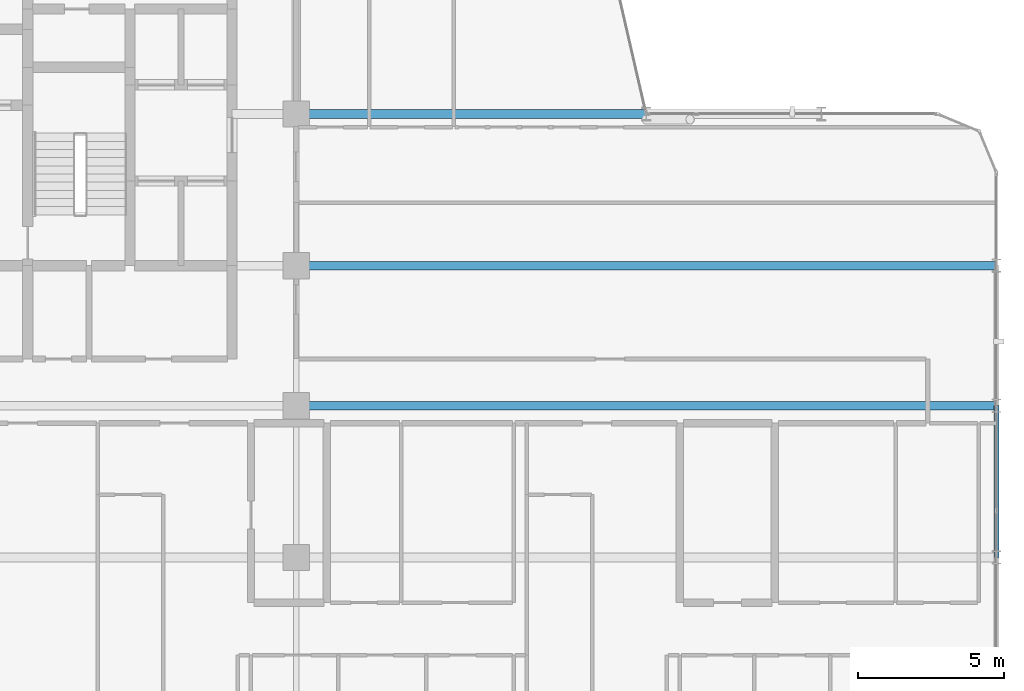
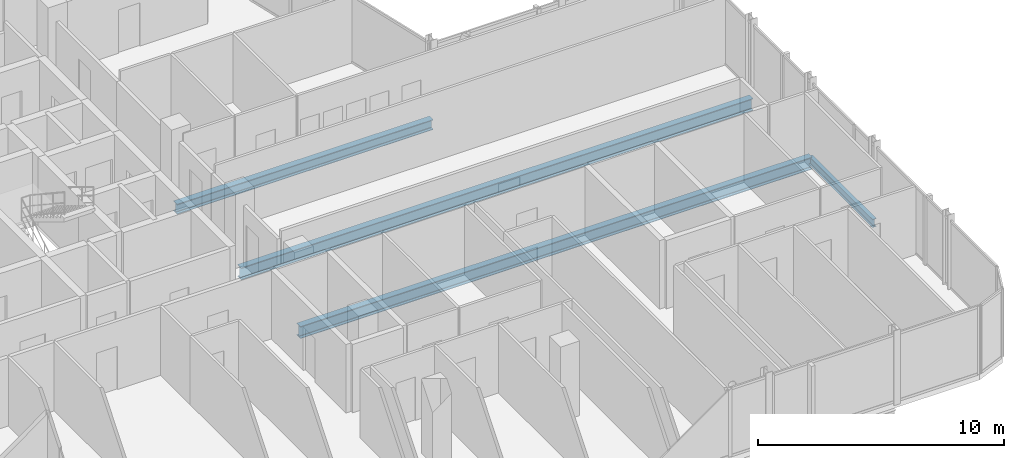
# One storey, part 13 of 29: 4 beams.
"""IFC4 building model written with IfcOpenShell, lengths in metres."""

from ifc_helpers import new_model, si_unit, direction, frame, origin, origin_2d, place, context, subcontext, project, spatial, i_section, extrude, material, material_profile, profile_set, type_object, element, save


model = new_model("IFC4")

# Units and contexts
model_context = context("Model", 3, precision=1e-05, world=origin(), true_north=direction((0.0, 1.0)))
body_context = subcontext(model_context, "Body", "Model", "MODEL_VIEW")
ifc_project = project(units=[si_unit("LENGTHUNIT", "METRE"), si_unit("AREAUNIT", "SQUARE_METRE"), si_unit("VOLUMEUNIT", "CUBIC_METRE"), si_unit("PLANEANGLEUNIT", "RADIAN"), si_unit("MASSUNIT", "GRAM", prefix="KILO")], contexts=[model_context])

# Site, building, storey
site_placement = place(None, origin())
site = spatial("IfcSite", under=ifc_project, at=site_placement, CompositionType="ELEMENT")
building_placement = place(site_placement, origin())
building = spatial("IfcBuilding", under=site, at=building_placement, Name="Keshet Zoharim Tower", CompositionType="ELEMENT")
storey_placement = place(building_placement, frame((0.0, 0.0, 188.39990234375)))
storey = spatial("IfcBuildingStorey", under=building, at=storey_placement, Name="L46", CompositionType="ELEMENT", Elevation=188.39990234375)

# Beams
ifc_material = material(Name="Steel S355", Category="steel")
ifc_material_profile_1 = material_profile(ifc_material, i_section(OverallWidth=0.300048828125, OverallDepth=0.60009765625, WebThickness=0.015380859375, FlangeThickness=0.030029296875, FilletRadius=0.027099609375, at=origin_2d()), Name="HEB600")
ifc_profile_set_1 = profile_set([ifc_material_profile_1], Name="Steel S355")
beam_type_1 = type_object("IfcBeamType", Name="BM-LNG-HB600", PredefinedType="BEAM", material=ifc_profile_set_1)
for number, where, z_axis, x_axis, name in (
    (1, (33.0, 17.89990234375, -0.60986328125), (1.0, 0.0, 0.0), (0.0, 1.0, 0.0), "L46 Primary Girder X-013"),
    (2, (33.0, 22.699951171875, -0.60986328125), (1.0, 0.0, 0.0), (0.0, 1.0, 0.0), "L46 Primary Girder X-014"),
):
    element("IfcBeam", number, at=place(storey_placement, frame(where, z_axis=z_axis, x_axis=x_axis)), inside=storey, type_object=beam_type_1, Name=name, PredefinedType="BEAM", context=body_context, shape_type="SweptSolid", body=[
        extrude(i_section(OverallWidth=0.300048828125, OverallDepth=0.60009765625, WebThickness=0.015380859375, FlangeThickness=0.030029296875, FilletRadius=0.027099609375, at=origin_2d()), origin(), (0.0, 0.0, 1.0), 24.0),
    ])
ifc_material_profile_2 = material_profile(ifc_material, i_section(OverallWidth=0.300048828125, OverallDepth=0.5, WebThickness=0.014404296875, FlangeThickness=0.028076171875, FilletRadius=0.027099609375, at=origin_2d()), Name="HEB500")
ifc_profile_set_2 = profile_set([ifc_material_profile_2], Name="Steel S355")
beam_type_2 = type_object("IfcBeamType", Name="BM-MED-HB500", PredefinedType="BEAM", material=ifc_profile_set_2)
beam_1_placement = place(storey_placement, frame((33.0, 27.89990234375, -0.559814453125), z_axis=(1.0, 0.0, 0.0), x_axis=(0.0, 1.0, 0.0)))
element("IfcBeam", 3, at=beam_1_placement, inside=storey, type_object=beam_type_2, Name="L46 Primary Girder X-015", PredefinedType="BEAM", context=body_context, shape_type="SweptSolid", body=[
    extrude(i_section(OverallWidth=0.300048828125, OverallDepth=0.5, WebThickness=0.014404296875, FlangeThickness=0.028076171875, FilletRadius=0.027099609375, at=origin_2d()), origin(), (0.0, 0.0, 1.0), 12.0),
])
ifc_material_profile_3 = material_profile(ifc_material, i_section(OverallWidth=0.179931640625, OverallDepth=0.39990234375, WebThickness=0.008544921875, FlangeThickness=0.013427734375, FilletRadius=0.02099609375, at=origin_2d()), Name="IPE400")
ifc_profile_set_3 = profile_set([ifc_material_profile_3], Name="Steel S355")
beam_type_3 = type_object("IfcBeamType", Name="BM-PRI-IP400", PredefinedType="BEAM", material=ifc_profile_set_3)
beam_2_placement = place(storey_placement, frame((57.0, 12.699951171875, -0.510009765625), z_axis=(0.0, 1.0, 0.0), x_axis=(-1.0, 0.0, 0.0)))
element("IfcBeam", 4, at=beam_2_placement, inside=storey, type_object=beam_type_3, Name="L46 Primary Girder Y-014", PredefinedType="BEAM", context=body_context, shape_type="SweptSolid", body=[
    extrude(i_section(OverallWidth=0.179931640625, OverallDepth=0.39990234375, WebThickness=0.008544921875, FlangeThickness=0.013427734375, FilletRadius=0.02099609375, at=origin_2d()), origin(), (0.0, 0.0, 1.0), 5.199951171875),
])

save(model, "model.ifc")
